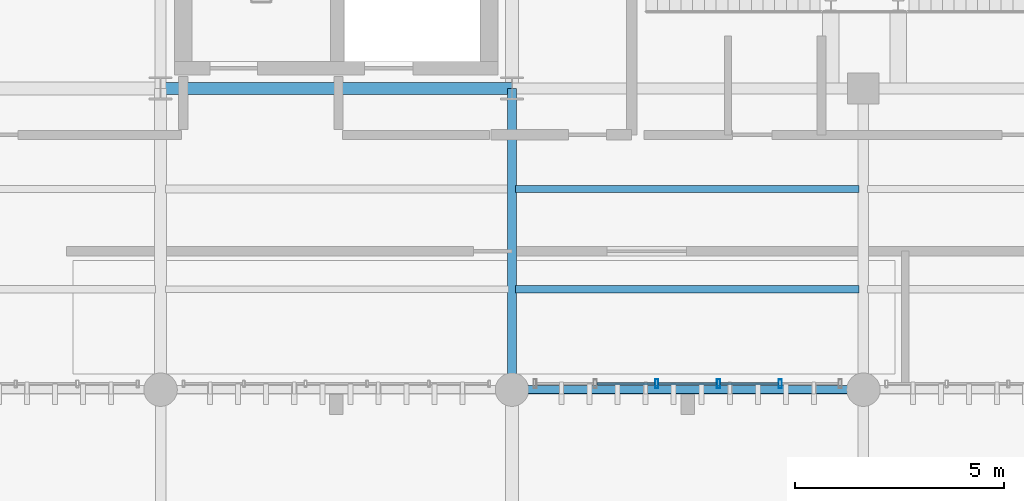
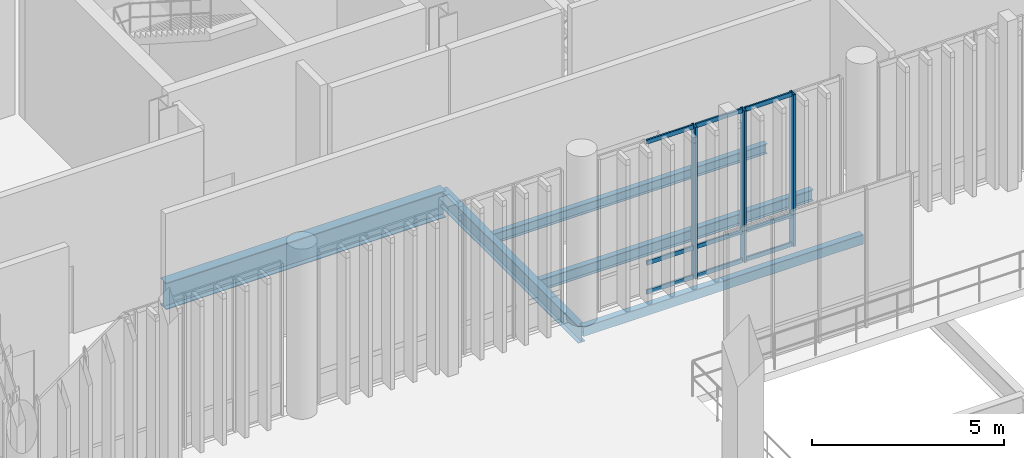
# One storey, part 40 of 128: 12 members, 5 beams, 1 element without a shape of its own.
"""IFC4 building model written with IfcOpenShell, lengths in metres."""

from ifc_helpers import new_model, si_unit, direction, frame, origin_with_axes, origin_2d_with_axis, place, context, subcontext, project, spatial, hollow_rectangle, i_section, extrude, material, material_profile, profile_set, type_object, element, aggregate, save


model = new_model("IFC4")

# Units and contexts
model_context = context("Model", 3, precision=1e-05, world=origin_with_axes(), true_north=direction((0.0, 1.0)))
body_context = subcontext(model_context, "Body", "Model", "MODEL_VIEW")
ifc_project = project(units=[si_unit("LENGTHUNIT", "METRE"), si_unit("AREAUNIT", "SQUARE_METRE"), si_unit("VOLUMEUNIT", "CUBIC_METRE"), si_unit("PLANEANGLEUNIT", "RADIAN"), si_unit("MASSUNIT", "GRAM", prefix="KILO"), si_unit("THERMODYNAMICTEMPERATUREUNIT", "KELVIN")], contexts=[model_context])

# Site, building, storey
site_placement = place(None, origin_with_axes())
site = spatial("IfcSite", under=ifc_project, at=site_placement, CompositionType="ELEMENT")
building_placement = place(site_placement, origin_with_axes())
building = spatial("IfcBuilding", under=site, at=building_placement, Name="Montbau Bow Law Courts", CompositionType="ELEMENT")
storey_placement = place(building_placement, frame((0.0, 0.0, 5.4), z_axis=(0.0, 0.0, 1.0), x_axis=(1.0, 0.0, 0.0)))
storey = spatial("IfcBuildingStorey", under=building, at=storey_placement, Name="L01", CompositionType="ELEMENT", Elevation=5.4)

# Beams
ifc_material_1 = material(Name="Steel CSA G40.21 Grade 350W (350 MPa)", Category="steel")
ifc_material_profile_1 = material_profile(ifc_material_1, i_section(OverallWidth=0.293, OverallDepth=0.846, WebThickness=0.0154, FlangeThickness=0.0244, at=origin_2d_with_axis()), Name="W840X210", Category="Main", Priority=0)
ifc_profile_set_1 = profile_set([ifc_material_profile_1], Name="Steel CSA G40.21 Grade 350W (350 MPa)")
beam_type_1 = type_object("IfcBeamType", Name="B-FLR-02", PredefinedType="BEAM", material=ifc_profile_set_1)
beam_1_placement = place(None, frame((55.2, 46.2, 4.737), z_axis=(1.0, 0.0, 0.0), x_axis=(0.0, 1.0, 0.0)))
element("IfcBeam", 1, at=beam_1_placement, inside=storey, type_object=beam_type_1, Name="BM-L01-S0805:bm2_0808", PredefinedType="BEAM", context=body_context, shape_type="SweptSolid", body=[
    extrude(i_section(OverallWidth=0.293, OverallDepth=0.846, WebThickness=0.0154, FlangeThickness=0.0244, at=origin_2d_with_axis()), origin_with_axes(), (0.0, 0.0, 1.0), 8.4),
])
ifc_material_profile_2 = material_profile(ifc_material_1, i_section(OverallWidth=0.21, OverallDepth=0.537, WebThickness=0.0109, FlangeThickness=0.0174, at=origin_2d_with_axis()), Name="W530X101", Category="Main", Priority=0)
ifc_profile_set_2 = profile_set([ifc_material_profile_2], Name="Steel CSA G40.21 Grade 350W (350 MPa)")
beam_type_2 = type_object("IfcBeamType", Name="B-FLR-06", PredefinedType="BEAM", material=ifc_profile_set_2)
beam_2_placement = place(None, frame((63.6, 39.0, 4.891), z_axis=(0.0, 1.0, 0.0), x_axis=(-1.0, 0.0, 0.0)))
element("IfcBeam", 2, at=beam_2_placement, inside=storey, type_object=beam_type_2, Name="BM-L01-S0826:bm2_0829", PredefinedType="BEAM", context=body_context, shape_type="SweptSolid", body=[
    extrude(i_section(OverallWidth=0.21, OverallDepth=0.537, WebThickness=0.0109, FlangeThickness=0.0174, at=origin_2d_with_axis()), origin_with_axes(), (0.0, 0.0, 1.0), 7.2),
])
ifc_material_profile_3 = material_profile(ifc_material_1, i_section(OverallWidth=0.172, OverallDepth=0.358, WebThickness=0.0079, FlangeThickness=0.0131, at=origin_2d_with_axis()), Name="W360X57", Category="Main", Priority=0)
ifc_profile_set_3 = profile_set([ifc_material_profile_3], Name="Steel CSA G40.21 Grade 350W (350 MPa)")
beam_type_3 = type_object("IfcBeamType", Name="B-JST-03", PredefinedType="JOIST", material=ifc_profile_set_3)
beam_3_placement = place(None, frame((63.681, 41.4, 4.981), z_axis=(1.0, 0.0, 0.0), x_axis=(0.0, 1.0, 0.0)))
element("IfcBeam", 3, at=beam_3_placement, inside=storey, type_object=beam_type_3, Name="JST-L01-S0422:jst2_0422", PredefinedType="JOIST", context=body_context, shape_type="SweptSolid", body=[
    extrude(i_section(OverallWidth=0.172, OverallDepth=0.358, WebThickness=0.0079, FlangeThickness=0.0131, at=origin_2d_with_axis()), origin_with_axes(), (0.0, 0.0, 1.0), 8.216),
])
ifc_material_profile_4 = material_profile(ifc_material_1, i_section(OverallWidth=0.166, OverallDepth=0.313, WebThickness=0.0066, FlangeThickness=0.0112, at=origin_2d_with_axis()), Name="W310X45", Category="Main", Priority=0)
ifc_profile_set_4 = profile_set([ifc_material_profile_4], Name="Steel CSA G40.21 Grade 350W (350 MPa)")
beam_type_4 = type_object("IfcBeamType", Name="B-JST-04", PredefinedType="JOIST", material=ifc_profile_set_4)
beam_4_placement = place(None, frame((63.681, 43.8, 5.003), z_axis=(1.0, 0.0, 0.0), x_axis=(0.0, 1.0, 0.0)))
element("IfcBeam", 4, at=beam_4_placement, inside=storey, type_object=beam_type_4, Name="JST-L01-S0423:jst2_0423", PredefinedType="JOIST", context=body_context, shape_type="SweptSolid", body=[
    extrude(i_section(OverallWidth=0.166, OverallDepth=0.313, WebThickness=0.0066, FlangeThickness=0.0112, at=origin_2d_with_axis()), origin_with_axes(), (0.0, 0.0, 1.0), 8.216),
])
ifc_material_2 = material(Name="Steel CSA G40.21 Grade 350WT (350 MPa)", Category="steel")
ifc_material_profile_5 = material_profile(ifc_material_2, hollow_rectangle(XDim=0.203, YDim=0.305, WallThickness=0.0127, InnerFilletRadius=0.0254, OuterFilletRadius=0.0127, at=origin_2d_with_axis()), Name="HSS305X203X13", Category="Main", Priority=0)
ifc_profile_set_5 = profile_set([ifc_material_profile_5], Name="Steel CSA G40.21 Grade 350WT (350 MPa)")
beam_type_5 = type_object("IfcBeamType", Name="B-SPN-02", PredefinedType="SPANDREL", material=ifc_profile_set_5)
beam_5_placement = place(None, frame((63.6, 39.0, 5.008), z_axis=(1.0, 0.0, 0.0), x_axis=(0.0, 1.0, 0.0)))
element("IfcBeam", 5, at=beam_5_placement, inside=storey, type_object=beam_type_5, Name="SPN-L01-S0800:bm2_0803", PredefinedType="SPANDREL", context=body_context, shape_type="SweptSolid", body=[
    extrude(hollow_rectangle(XDim=0.203, YDim=0.305, WallThickness=0.0127, InnerFilletRadius=0.0254, OuterFilletRadius=0.0127, at=origin_2d_with_axis()), origin_with_axes(), (0.0, 0.0, 1.0), 8.4),
])

# Curtain wall, members
ifc_material_3 = material(Name="Thermally Broken Extruded Aluminium AA 6063-T6", Category="aluminium")
curtain_wall_type = type_object("IfcCurtainWallType", Name="CW-CRM-01", PredefinedType="NOTDEFINED", material=ifc_material_3)
curtain_wall_placement = place(None, frame((64.115, 39.14, 5.4), z_axis=(0.0, 0.0, 1.0), x_axis=(1.0, 0.0, 0.0)))
curtain_wall = element("IfcCurtainWall", 6, at=curtain_wall_placement, inside=storey, type_object=curtain_wall_type, Name="CW-L01-141:cw_0141", PredefinedType="NOTDEFINED")
ifc_material_profile_6 = material_profile(ifc_material_3, hollow_rectangle(XDim=0.075, YDim=0.22, WallThickness=0.005, InnerFilletRadius=0.01, OuterFilletRadius=0.005, at=origin_2d_with_axis()), Name="CWM-220X75", Category="Main", Priority=0)
ifc_profile_set_6 = profile_set([ifc_material_profile_6], Name="Thermally Broken Extruded Aluminium AA 6063-T6")
member_type_1 = type_object("IfcMemberType", Name="M-MUL-01", PredefinedType="MULLION", material=ifc_profile_set_6)
member_1_placement = place(None, frame((67.063, 39.14, 5.4), z_axis=(0.0, 0.0, 1.0), x_axis=(1.0, 0.0, 0.0)))
member_1 = element("IfcMember", 7, at=member_1_placement, type_object=member_type_1, Name="CW-L01-141-M03:cw_0141_M03", PredefinedType="MULLION", context=body_context, shape_type="SweptSolid", body=[
    extrude(hollow_rectangle(XDim=0.075, YDim=0.22, WallThickness=0.005, InnerFilletRadius=0.01, OuterFilletRadius=0.005, at=origin_2d_with_axis()), origin_with_axes(), (0.0, 0.0, 1.0), 4.82),
])
member_2_placement = place(None, frame((68.537, 39.14, 5.4), z_axis=(0.0, 0.0, 1.0), x_axis=(1.0, 0.0, 0.0)))
member_2 = element("IfcMember", 8, at=member_2_placement, type_object=member_type_1, Name="CW-L01-141-M04:cw_0141_M04", PredefinedType="MULLION", context=body_context, shape_type="SweptSolid", body=[
    extrude(hollow_rectangle(XDim=0.075, YDim=0.22, WallThickness=0.005, InnerFilletRadius=0.01, OuterFilletRadius=0.005, at=origin_2d_with_axis()), origin_with_axes(), (0.0, 0.0, 1.0), 4.82),
])
member_3_placement = place(None, frame((70.011, 39.14, 5.4), z_axis=(0.0, 0.0, 1.0), x_axis=(1.0, 0.0, 0.0)))
member_3 = element("IfcMember", 9, at=member_3_placement, type_object=member_type_1, Name="CW-L01-141-M05:cw_0141_M05", PredefinedType="MULLION", context=body_context, shape_type="SweptSolid", body=[
    extrude(hollow_rectangle(XDim=0.075, YDim=0.22, WallThickness=0.005, InnerFilletRadius=0.01, OuterFilletRadius=0.005, at=origin_2d_with_axis()), origin_with_axes(), (0.0, 0.0, 1.0), 4.82),
])
ifc_material_profile_7 = material_profile(ifc_material_3, hollow_rectangle(XDim=0.055, YDim=0.14, WallThickness=0.004, InnerFilletRadius=0.008, OuterFilletRadius=0.004, at=origin_2d_with_axis()), Name="CWT-140X55", Category="Main", Priority=0)
ifc_profile_set_7 = profile_set([ifc_material_profile_7], Name="Thermally Broken Extruded Aluminium AA 6063-T6")
member_type_2 = type_object("IfcMemberType", Name="M-TRN-02", PredefinedType="USERDEFINED", material=ifc_profile_set_7)
member_4_placement = place(None, frame((65.629, 39.14, 5.428), z_axis=(1.0, 0.0, 0.0), x_axis=(0.0, 1.0, 0.0)))
member_4 = element("IfcMember", 10, at=member_4_placement, type_object=member_type_2, Name="CW-L01-141-T02-1:cw_0141_T02_1", ObjectType="TRANSOM", PredefinedType="USERDEFINED", context=body_context, shape_type="SweptSolid", body=[
    extrude(hollow_rectangle(XDim=0.055, YDim=0.14, WallThickness=0.004, InnerFilletRadius=0.008, OuterFilletRadius=0.004, at=origin_2d_with_axis()), origin_with_axes(), (0.0, 0.0, 1.0), 1.395),
])
member_5_placement = place(None, frame((65.629, 39.14, 6.35), z_axis=(1.0, 0.0, 0.0), x_axis=(0.0, 1.0, 0.0)))
member_5 = element("IfcMember", 11, at=member_5_placement, type_object=member_type_2, Name="CW-L01-141-T02-2:cw_0141_T02_2", ObjectType="TRANSOM", PredefinedType="USERDEFINED", context=body_context, shape_type="SweptSolid", body=[
    extrude(hollow_rectangle(XDim=0.055, YDim=0.14, WallThickness=0.004, InnerFilletRadius=0.008, OuterFilletRadius=0.004, at=origin_2d_with_axis()), origin_with_axes(), (0.0, 0.0, 1.0), 1.395),
])
member_6_placement = place(None, frame((65.629, 39.14, 10.193), z_axis=(1.0, 0.0, 0.0), x_axis=(0.0, 1.0, 0.0)))
member_6 = element("IfcMember", 12, at=member_6_placement, type_object=member_type_2, Name="CW-L01-141-T02-3:cw_0141_T02_3", ObjectType="TRANSOM", PredefinedType="USERDEFINED", context=body_context, shape_type="SweptSolid", body=[
    extrude(hollow_rectangle(XDim=0.055, YDim=0.14, WallThickness=0.004, InnerFilletRadius=0.008, OuterFilletRadius=0.004, at=origin_2d_with_axis()), origin_with_axes(), (0.0, 0.0, 1.0), 1.395),
])
member_7_placement = place(None, frame((67.102, 39.14, 5.428), z_axis=(1.0, 0.0, 0.0), x_axis=(0.0, 1.0, 0.0)))
member_7 = element("IfcMember", 13, at=member_7_placement, type_object=member_type_2, Name="CW-L01-141-T03-1:cw_0141_T03_1", ObjectType="TRANSOM", PredefinedType="USERDEFINED", context=body_context, shape_type="SweptSolid", body=[
    extrude(hollow_rectangle(XDim=0.055, YDim=0.14, WallThickness=0.004, InnerFilletRadius=0.008, OuterFilletRadius=0.004, at=origin_2d_with_axis()), origin_with_axes(), (0.0, 0.0, 1.0), 1.396),
])
member_8_placement = place(None, frame((67.102, 39.14, 6.35), z_axis=(1.0, 0.0, 0.0), x_axis=(0.0, 1.0, 0.0)))
member_8 = element("IfcMember", 14, at=member_8_placement, type_object=member_type_2, Name="CW-L01-141-T03-2:cw_0141_T03_2", ObjectType="TRANSOM", PredefinedType="USERDEFINED", context=body_context, shape_type="SweptSolid", body=[
    extrude(hollow_rectangle(XDim=0.055, YDim=0.14, WallThickness=0.004, InnerFilletRadius=0.008, OuterFilletRadius=0.004, at=origin_2d_with_axis()), origin_with_axes(), (0.0, 0.0, 1.0), 1.396),
])
member_9_placement = place(None, frame((67.102, 39.14, 10.193), z_axis=(1.0, 0.0, 0.0), x_axis=(0.0, 1.0, 0.0)))
member_9 = element("IfcMember", 15, at=member_9_placement, type_object=member_type_2, Name="CW-L01-141-T03-3:cw_0141_T03_3", ObjectType="TRANSOM", PredefinedType="USERDEFINED", context=body_context, shape_type="SweptSolid", body=[
    extrude(hollow_rectangle(XDim=0.055, YDim=0.14, WallThickness=0.004, InnerFilletRadius=0.008, OuterFilletRadius=0.004, at=origin_2d_with_axis()), origin_with_axes(), (0.0, 0.0, 1.0), 1.396),
])
member_10_placement = place(None, frame((68.576, 39.14, 5.428), z_axis=(1.0, 0.0, 0.0), x_axis=(0.0, 1.0, 0.0)))
member_10 = element("IfcMember", 16, at=member_10_placement, type_object=member_type_2, Name="CW-L01-141-T04-1:cw_0141_T04_1", ObjectType="TRANSOM", PredefinedType="USERDEFINED", context=body_context, shape_type="SweptSolid", body=[
    extrude(hollow_rectangle(XDim=0.055, YDim=0.14, WallThickness=0.004, InnerFilletRadius=0.008, OuterFilletRadius=0.004, at=origin_2d_with_axis()), origin_with_axes(), (0.0, 0.0, 1.0), 1.396),
])
member_11_placement = place(None, frame((68.576, 39.14, 6.35), z_axis=(1.0, 0.0, 0.0), x_axis=(0.0, 1.0, 0.0)))
member_11 = element("IfcMember", 17, at=member_11_placement, type_object=member_type_2, Name="CW-L01-141-T04-2:cw_0141_T04_2", ObjectType="TRANSOM", PredefinedType="USERDEFINED", context=body_context, shape_type="SweptSolid", body=[
    extrude(hollow_rectangle(XDim=0.055, YDim=0.14, WallThickness=0.004, InnerFilletRadius=0.008, OuterFilletRadius=0.004, at=origin_2d_with_axis()), origin_with_axes(), (0.0, 0.0, 1.0), 1.396),
])
member_12_placement = place(None, frame((68.576, 39.14, 10.193), z_axis=(1.0, 0.0, 0.0), x_axis=(0.0, 1.0, 0.0)))
member_12 = element("IfcMember", 18, at=member_12_placement, type_object=member_type_2, Name="CW-L01-141-T04-3:cw_0141_T04_3", ObjectType="TRANSOM", PredefinedType="USERDEFINED", context=body_context, shape_type="SweptSolid", body=[
    extrude(hollow_rectangle(XDim=0.055, YDim=0.14, WallThickness=0.004, InnerFilletRadius=0.008, OuterFilletRadius=0.004, at=origin_2d_with_axis()), origin_with_axes(), (0.0, 0.0, 1.0), 1.396),
])
aggregate(curtain_wall, [member_1, member_2, member_3, member_4, member_5, member_6, member_7, member_8, member_9, member_10, member_11, member_12])

save(model, "model.ifc")
